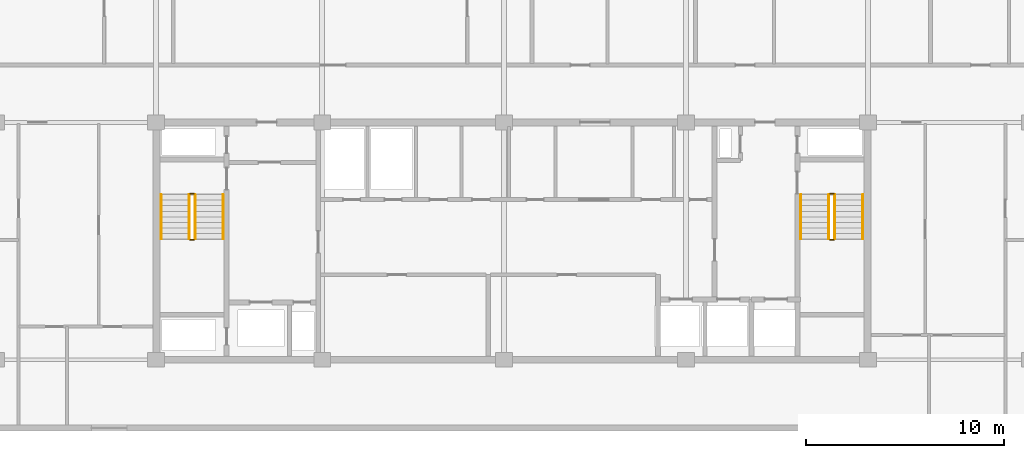
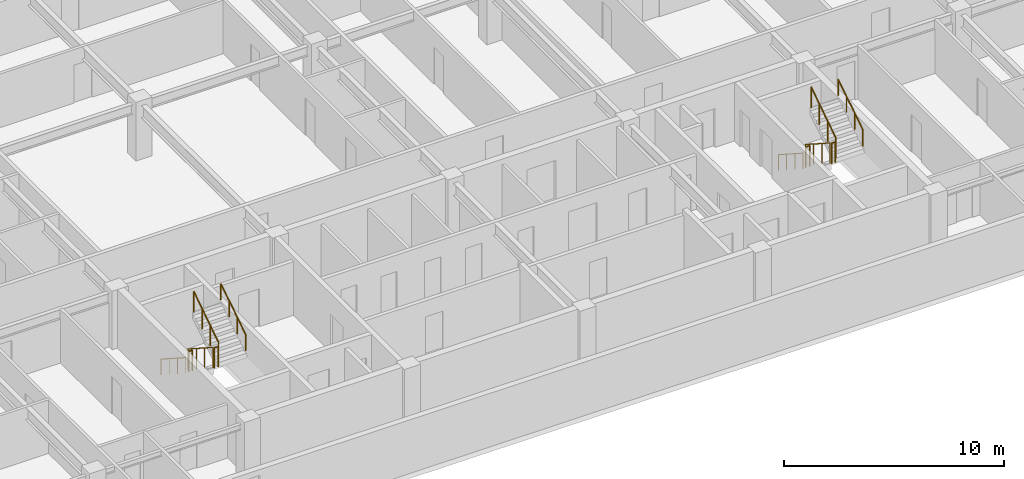
# One storey, part 21 of 22: 12 railings.
"""IFC4 building model written with IfcOpenShell, lengths in metres."""

from ifc_helpers import new_model, si_unit, direction, frame, origin, origin_2d, place, context, subcontext, project, spatial, circle, extrude, material, type_object, element, save


model = new_model("IFC4")

# Units and contexts
model_context = context("Model", 3, precision=1e-05, world=origin(), true_north=direction((0.0, 1.0)))
body_context = subcontext(model_context, "Body", "Model", "MODEL_VIEW")
ifc_project = project(units=[si_unit("LENGTHUNIT", "METRE"), si_unit("AREAUNIT", "SQUARE_METRE"), si_unit("VOLUMEUNIT", "CUBIC_METRE"), si_unit("PLANEANGLEUNIT", "RADIAN"), si_unit("MASSUNIT", "GRAM", prefix="KILO")], contexts=[model_context])

# Site, building, storey
site_placement = place(None, origin())
site = spatial("IfcSite", under=ifc_project, at=site_placement, CompositionType="ELEMENT")
building_placement = place(site_placement, origin())
building = spatial("IfcBuilding", under=site, at=building_placement, Name="Korimba Cascade Residences", CompositionType="ELEMENT")
storey_placement = place(building_placement, frame((0.0, 0.0, 181.60009765625)))
storey = spatial("IfcBuildingStorey", under=building, at=storey_placement, Name="L52", CompositionType="ELEMENT", Elevation=181.60009765625)

# Railings
ifc_material_1 = material(Name="Painted Steel Stairwell Guardrail", Category="steel")
railing_type_1 = type_object("IfcRailingType", Name="RLG-ST-GD1150", PredefinedType="GUARDRAIL", material=ifc_material_1)
railing_1_placement = place(storey_placement, frame((77.77001953125, 63.550048828125, 0.180419921875)))
element("IfcRailing", 1, at=railing_1_placement, inside=storey, type_object=railing_type_1, Name="L52 ST-W1 stair guard 1", PredefinedType="GUARDRAIL", context=body_context, shape_type="SweptSolid", body=[
    extrude(circle(Radius=0.02392578125, at=origin_2d()), frame((0.0, 0.0, 1.1259765625), z_axis=(0.0, -0.840394893359, 0.541974559565), x_axis=(1.0, 0.0, 0.0)), (0.0, 0.0, 1.0), 2.665283203125),
    extrude(circle(Radius=0.02099609375, at=origin_2d()), origin(), (0.0, 0.0, 1.0), 1.101806640625),
    extrude(circle(Radius=0.02099609375, at=origin_2d()), frame((0.0, -0.74658203125, 0.4814453125)), (0.0, 0.0, 1.0), 1.101806640625),
    extrude(circle(Radius=0.02099609375, at=origin_2d()), frame((0.0, -1.493408203125, 0.963134765625)), (0.0, 0.0, 1.0), 1.101806640625),
    extrude(circle(Radius=0.02099609375, at=origin_2d()), frame((0.0, -2.239990234375, 1.444580078125)), (0.0, 0.0, 1.0), 1.101806640625),
])
railing_2_placement = place(storey_placement, frame((77.820068359375, 61.260009765625, 1.625)))
element("IfcRailing", 2, at=railing_2_placement, inside=storey, type_object=railing_type_1, Name="L52 ST-W1 stair guard 2", PredefinedType="GUARDRAIL", context=body_context, shape_type="SweptSolid", body=[
    extrude(circle(Radius=0.02392578125, at=origin_2d()), frame((0.0, 0.0, 1.1259765625), z_axis=(1.0, 0.0, 0.0), x_axis=(0.0, 1.0, 0.0)), (0.0, 0.0, 1.0), 0.199951171875),
    extrude(circle(Radius=0.02099609375, at=origin_2d()), origin(), (0.0, 0.0, 1.0), 1.101806640625),
    extrude(circle(Radius=0.02099609375, at=origin_2d()), frame((0.199951171875, 0.0, 0.0)), (0.0, 0.0, 1.0), 1.101806640625),
])
railing_3_placement = place(storey_placement, frame((78.070068359375, 61.31005859375, 1.805419921875)))
element("IfcRailing", 3, at=railing_3_placement, inside=storey, type_object=railing_type_1, Name="L52 ST-W1 stair guard 3", PredefinedType="GUARDRAIL", context=body_context, shape_type="SweptSolid", body=[
    extrude(circle(Radius=0.02392578125, at=origin_2d()), frame((0.0, 0.0, 1.1259765625), z_axis=(0.0, 0.840394893359, 0.541974559565), x_axis=(-1.0, 0.0, 0.0)), (0.0, 0.0, 1.0), 2.665283203125),
    extrude(circle(Radius=0.02099609375, at=origin_2d()), origin(), (0.0, 0.0, 1.0), 1.101806640625),
    extrude(circle(Radius=0.02099609375, at=origin_2d()), frame((0.0, 0.74658203125, 0.4814453125)), (0.0, 0.0, 1.0), 1.101806640625),
    extrude(circle(Radius=0.02099609375, at=origin_2d()), frame((0.0, 1.493408203125, 0.963134765625)), (0.0, 0.0, 1.0), 1.101806640625),
    extrude(circle(Radius=0.02099609375, at=origin_2d()), frame((0.0, 2.239990234375, 1.444580078125)), (0.0, 0.0, 1.0), 1.101806640625),
])
railing_4_placement = place(storey_placement, frame((77.820068359375, 63.60009765625, 0.0)))
element("IfcRailing", 4, at=railing_4_placement, inside=storey, type_object=railing_type_1, Name="L52 ST-W1 stair guard 4", PredefinedType="GUARDRAIL", context=body_context, shape_type="SweptSolid", body=[
    extrude(circle(Radius=0.02392578125, at=origin_2d()), frame((0.0, 0.0, 1.1259765625), z_axis=(1.0, 0.0, 0.0), x_axis=(0.0, 1.0, 0.0)), (0.0, 0.0, 1.0), 0.199951171875),
    extrude(circle(Radius=0.02099609375, at=origin_2d()), origin(), (0.0, 0.0, 1.0), 1.101806640625),
    extrude(circle(Radius=0.02099609375, at=origin_2d()), frame((0.199951171875, 0.0, 0.0)), (0.0, 0.0, 1.0), 1.101806640625),
])
railing_5_placement = place(storey_placement, frame((110.1298828125, 63.550048828125, 0.180419921875)))
element("IfcRailing", 5, at=railing_5_placement, inside=storey, type_object=railing_type_1, Name="L52 ST-W2 stair guard 1", PredefinedType="GUARDRAIL", context=body_context, shape_type="SweptSolid", body=[
    extrude(circle(Radius=0.02392578125, at=origin_2d()), frame((0.0, 0.0, 1.1259765625), z_axis=(0.0, -0.840394893359, 0.541974559565), x_axis=(1.0, 0.0, 0.0)), (0.0, 0.0, 1.0), 2.665283203125),
    extrude(circle(Radius=0.02099609375, at=origin_2d()), origin(), (0.0, 0.0, 1.0), 1.101806640625),
    extrude(circle(Radius=0.02099609375, at=origin_2d()), frame((0.0, -0.74658203125, 0.4814453125)), (0.0, 0.0, 1.0), 1.101806640625),
    extrude(circle(Radius=0.02099609375, at=origin_2d()), frame((0.0, -1.493408203125, 0.963134765625)), (0.0, 0.0, 1.0), 1.101806640625),
    extrude(circle(Radius=0.02099609375, at=origin_2d()), frame((0.0, -2.239990234375, 1.444580078125)), (0.0, 0.0, 1.0), 1.101806640625),
])
railing_6_placement = place(storey_placement, frame((110.179931640625, 61.260009765625, 1.625)))
element("IfcRailing", 6, at=railing_6_placement, inside=storey, type_object=railing_type_1, Name="L52 ST-W2 stair guard 2", PredefinedType="GUARDRAIL", context=body_context, shape_type="SweptSolid", body=[
    extrude(circle(Radius=0.02392578125, at=origin_2d()), frame((0.0, 0.0, 1.1259765625), z_axis=(1.0, 0.0, 0.0), x_axis=(0.0, 1.0, 0.0)), (0.0, 0.0, 1.0), 0.199951171875),
    extrude(circle(Radius=0.02099609375, at=origin_2d()), origin(), (0.0, 0.0, 1.0), 1.101806640625),
    extrude(circle(Radius=0.02099609375, at=origin_2d()), frame((0.199951171875, 0.0, 0.0)), (0.0, 0.0, 1.0), 1.101806640625),
])
railing_7_placement = place(storey_placement, frame((110.429931640625, 61.31005859375, 1.805419921875)))
element("IfcRailing", 7, at=railing_7_placement, inside=storey, type_object=railing_type_1, Name="L52 ST-W2 stair guard 3", PredefinedType="GUARDRAIL", context=body_context, shape_type="SweptSolid", body=[
    extrude(circle(Radius=0.02392578125, at=origin_2d()), frame((0.0, 0.0, 1.1259765625), z_axis=(0.0, 0.840394893359, 0.541974559565), x_axis=(-1.0, 0.0, 0.0)), (0.0, 0.0, 1.0), 2.665283203125),
    extrude(circle(Radius=0.02099609375, at=origin_2d()), origin(), (0.0, 0.0, 1.0), 1.101806640625),
    extrude(circle(Radius=0.02099609375, at=origin_2d()), frame((0.0, 0.74658203125, 0.4814453125)), (0.0, 0.0, 1.0), 1.101806640625),
    extrude(circle(Radius=0.02099609375, at=origin_2d()), frame((0.0, 1.493408203125, 0.963134765625)), (0.0, 0.0, 1.0), 1.101806640625),
    extrude(circle(Radius=0.02099609375, at=origin_2d()), frame((0.0, 2.239990234375, 1.444580078125)), (0.0, 0.0, 1.0), 1.101806640625),
])
railing_8_placement = place(storey_placement, frame((110.179931640625, 63.60009765625, 0.0)))
element("IfcRailing", 8, at=railing_8_placement, inside=storey, type_object=railing_type_1, Name="L52 ST-W2 stair guard 4", PredefinedType="GUARDRAIL", context=body_context, shape_type="SweptSolid", body=[
    extrude(circle(Radius=0.02392578125, at=origin_2d()), frame((0.0, 0.0, 1.1259765625), z_axis=(1.0, 0.0, 0.0), x_axis=(0.0, 1.0, 0.0)), (0.0, 0.0, 1.0), 0.199951171875),
    extrude(circle(Radius=0.02099609375, at=origin_2d()), origin(), (0.0, 0.0, 1.0), 1.101806640625),
    extrude(circle(Radius=0.02099609375, at=origin_2d()), frame((0.199951171875, 0.0, 0.0)), (0.0, 0.0, 1.0), 1.101806640625),
])
ifc_material_2 = material(Name="Brushed Stainless Steel Handrail", Category="steel")
railing_type_2 = type_object("IfcRailingType", Name="RLG-ST-HR900", PredefinedType="HANDRAIL", material=ifc_material_2)
railing_9_placement = place(storey_placement, frame((76.35009765625, 63.550048828125, 0.36474609375)))
element("IfcRailing", 9, at=railing_9_placement, inside=storey, type_object=railing_type_2, Name="L52 ST-W1 stair handrail 1", PredefinedType="HANDRAIL", context=body_context, shape_type="SweptSolid", body=[
    extrude(circle(Radius=0.02392578125, at=origin_2d()), frame((0.0, 0.0, 0.8759765625), z_axis=(0.0, -0.840394893359, 0.541974559565), x_axis=(1.0, 0.0, 0.0)), (0.0, 0.0, 1.0), 2.665283203125),
    extrude(circle(Radius=0.02099609375, at=origin_2d()), origin(), (0.0, 0.0, 1.0), 0.851806640625),
    extrude(circle(Radius=0.02099609375, at=origin_2d()), frame((0.0, -0.74658203125, 0.4814453125)), (0.0, 0.0, 1.0), 0.851806640625),
    extrude(circle(Radius=0.02099609375, at=origin_2d()), frame((0.0, -1.493408203125, 0.963134765625)), (0.0, 0.0, 1.0), 0.851806640625),
    extrude(circle(Radius=0.02099609375, at=origin_2d()), frame((0.0, -2.239990234375, 1.444580078125)), (0.0, 0.0, 1.0), 0.851806640625),
])
railing_10_placement = place(storey_placement, frame((79.489990234375, 61.31005859375, 1.98974609375)))
element("IfcRailing", 10, at=railing_10_placement, inside=storey, type_object=railing_type_2, Name="L52 ST-W1 stair handrail 2", PredefinedType="HANDRAIL", context=body_context, shape_type="SweptSolid", body=[
    extrude(circle(Radius=0.02392578125, at=origin_2d()), frame((0.0, 0.0, 0.8759765625), z_axis=(0.0, 0.840394893359, 0.541974559565), x_axis=(-1.0, 0.0, 0.0)), (0.0, 0.0, 1.0), 2.665283203125),
    extrude(circle(Radius=0.02099609375, at=origin_2d()), origin(), (0.0, 0.0, 1.0), 0.851806640625),
    extrude(circle(Radius=0.02099609375, at=origin_2d()), frame((0.0, 0.74658203125, 0.4814453125)), (0.0, 0.0, 1.0), 0.851806640625),
    extrude(circle(Radius=0.02099609375, at=origin_2d()), frame((0.0, 1.493408203125, 0.963134765625)), (0.0, 0.0, 1.0), 0.851806640625),
    extrude(circle(Radius=0.02099609375, at=origin_2d()), frame((0.0, 2.239990234375, 1.444580078125)), (0.0, 0.0, 1.0), 0.851806640625),
])
railing_11_placement = place(storey_placement, frame((108.7099609375, 63.550048828125, 0.36474609375)))
element("IfcRailing", 11, at=railing_11_placement, inside=storey, type_object=railing_type_2, Name="L52 ST-W2 stair handrail 1", PredefinedType="HANDRAIL", context=body_context, shape_type="SweptSolid", body=[
    extrude(circle(Radius=0.02392578125, at=origin_2d()), frame((0.0, 0.0, 0.8759765625), z_axis=(0.0, -0.840394893359, 0.541974559565), x_axis=(1.0, 0.0, 0.0)), (0.0, 0.0, 1.0), 2.665283203125),
    extrude(circle(Radius=0.02099609375, at=origin_2d()), origin(), (0.0, 0.0, 1.0), 0.851806640625),
    extrude(circle(Radius=0.02099609375, at=origin_2d()), frame((0.0, -0.74658203125, 0.4814453125)), (0.0, 0.0, 1.0), 0.851806640625),
    extrude(circle(Radius=0.02099609375, at=origin_2d()), frame((0.0, -1.493408203125, 0.963134765625)), (0.0, 0.0, 1.0), 0.851806640625),
    extrude(circle(Radius=0.02099609375, at=origin_2d()), frame((0.0, -2.239990234375, 1.444580078125)), (0.0, 0.0, 1.0), 0.851806640625),
])
railing_12_placement = place(storey_placement, frame((111.85009765625, 61.31005859375, 1.98974609375)))
element("IfcRailing", 12, at=railing_12_placement, inside=storey, type_object=railing_type_2, Name="L52 ST-W2 stair handrail 2", PredefinedType="HANDRAIL", context=body_context, shape_type="SweptSolid", body=[
    extrude(circle(Radius=0.02392578125, at=origin_2d()), frame((0.0, 0.0, 0.8759765625), z_axis=(0.0, 0.840394893359, 0.541974559565), x_axis=(-1.0, 0.0, 0.0)), (0.0, 0.0, 1.0), 2.665283203125),
    extrude(circle(Radius=0.02099609375, at=origin_2d()), origin(), (0.0, 0.0, 1.0), 0.851806640625),
    extrude(circle(Radius=0.02099609375, at=origin_2d()), frame((0.0, 0.74658203125, 0.4814453125)), (0.0, 0.0, 1.0), 0.851806640625),
    extrude(circle(Radius=0.02099609375, at=origin_2d()), frame((0.0, 1.493408203125, 0.963134765625)), (0.0, 0.0, 1.0), 0.851806640625),
    extrude(circle(Radius=0.02099609375, at=origin_2d()), frame((0.0, 2.239990234375, 1.444580078125)), (0.0, 0.0, 1.0), 0.851806640625),
])

save(model, "model.ifc")
